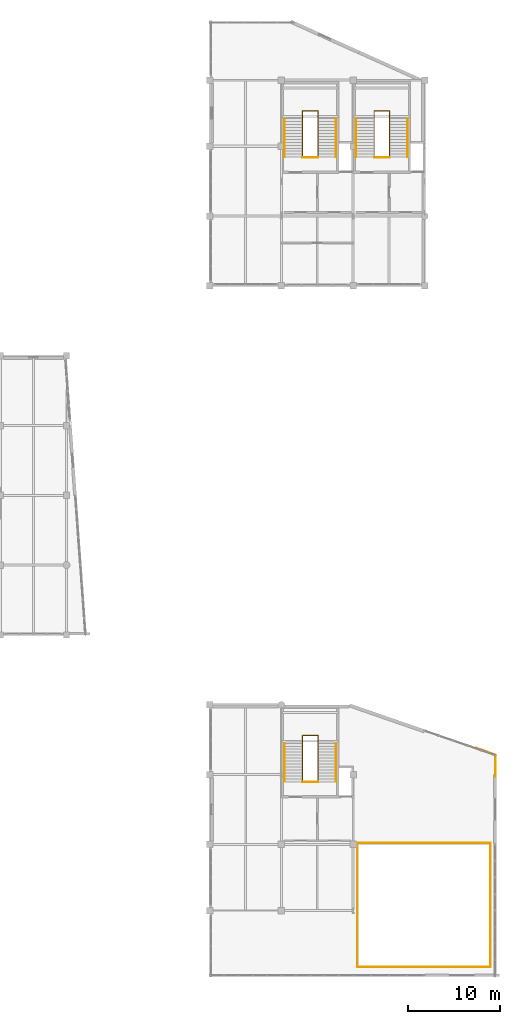
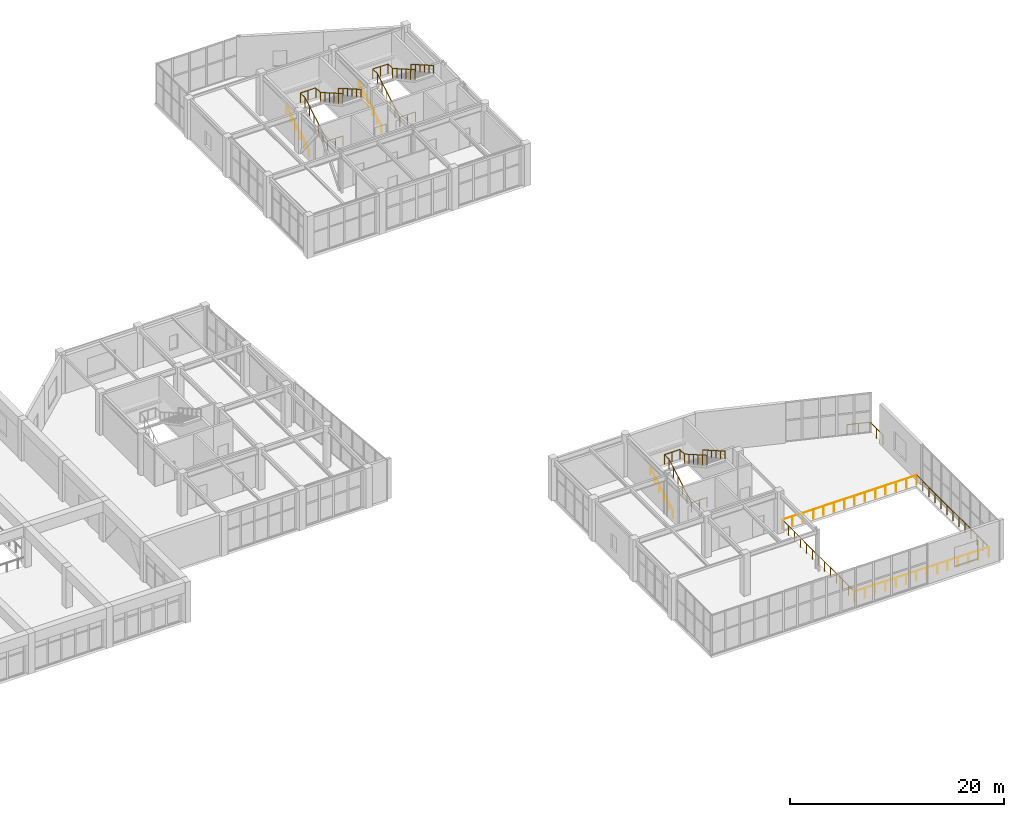
# One storey, part 72 of 72: 17 railings.
"""IFC4 building model written with IfcOpenShell, lengths in metres."""

import ifcopenshell
import ifcopenshell.guid

model = None  # the IFC model being written
_history = None  # IfcOwnerHistory: only IFC2X3 demands one
_inside = {}  # id of a spatial element -> (the spatial element, [elements in it])
_under = {}  # id of a project, library or spatial element -> (it, [spatial elements below it])
_declared = {}  # id of a project -> (the project, [libraries it declares])
_typed = {}  # id of a type object -> (the type object, [elements of that type])
_made_of = {}  # id of a material, layer set ... -> (it, [elements and type objects made of it])


def new_model(schema):
    """Start an empty IFC model of exactly this schema.

    Asked for "IFC4X3", IfcOpenShell would pick the latest addendum, in which some entities
    have other attributes; the version numbers below select the first issue.
    IFC2X3 requires an IfcOwnerHistory on every rooted entity: one is made here for all.
    """
    global model, _history
    if schema == "IFC4X3":
        model = ifcopenshell.file(schema_version=(4, 3, 0, 0))
    else:
        model = ifcopenshell.file(schema=schema)
    _inside.clear()
    _under.clear()
    _declared.clear()
    _typed.clear()
    _made_of.clear()
    _history = None
    if model.schema == "IFC2X3":
        org = make("IfcOrganization", Name="unknown")
        user = make(
            "IfcPersonAndOrganization",
            ThePerson=make("IfcPerson", FamilyName="unknown"),
            TheOrganization=org,
        )
        app = make(
            "IfcApplication",
            ApplicationDeveloper=org,
            Version="unknown",
            ApplicationFullName="unknown",
            ApplicationIdentifier="unknown",
        )
        _history = make(
            "IfcOwnerHistory",
            OwningUser=user,
            OwningApplication=app,
            ChangeAction="ADDED",
            CreationDate=0,
        )
    return model


def make(cls, **values):
    """One entity of the class cls with the attributes given. An attribute that is None is left unset."""
    return model.create_entity(
        cls, **{name: value for name, value in values.items() if value is not None}
    )


def rooted(cls, **values):
    """An entity with a GlobalId (a new one), such as an element, a storey or a relation."""
    return make(cls, GlobalId=ifcopenshell.guid.new(), OwnerHistory=_history, **values)


def si_unit(unit_type, name, prefix=None):
    """IfcSIUnit, for example si_unit("LENGTHUNIT", "METRE", prefix="MILLI")."""
    return make("IfcSIUnit", UnitType=unit_type, Prefix=prefix, Name=name)


def assignment(units):
    """IfcUnitAssignment: the units of a project."""
    return None if units is None else make("IfcUnitAssignment", Units=units)


def point(xyz):
    """IfcCartesianPoint."""
    return None if xyz is None else make("IfcCartesianPoint", Coordinates=xyz)


def direction(xyz):
    """IfcDirection."""
    return None if xyz is None else make("IfcDirection", DirectionRatios=xyz)


def frame(location, z_axis=None, x_axis=None):
    """IfcAxis2Placement3D, a coordinate frame: its origin and axes. An axis left out is left unset."""
    return make(
        "IfcAxis2Placement3D",
        Location=point(location),
        Axis=direction(z_axis),
        RefDirection=direction(x_axis),
    )


def frame_2d(location, x_axis=None):
    """IfcAxis2Placement2D, a coordinate frame in the plane: its origin and x axis."""
    return make(
        "IfcAxis2Placement2D", Location=point(location), RefDirection=direction(x_axis)
    )


def origin():
    """The frame at (0, 0, 0) with its axes left unset."""
    return frame((0.0, 0.0, 0.0))


def origin_2d():
    """The frame at (0, 0) in the plane with its x axis left unset."""
    return frame_2d((0.0, 0.0))


def place(relative_to, where):
    """IfcLocalPlacement: puts the frame where relative to a parent placement (None: the world)."""
    return make(
        "IfcLocalPlacement", PlacementRelTo=relative_to, RelativePlacement=where
    )


def context(
    kind, dimensions, precision=None, world=None, true_north=None, identifier=None
):
    """IfcGeometricRepresentationContext, for example the 3D "Model" context."""
    return make(
        "IfcGeometricRepresentationContext",
        ContextIdentifier=identifier,
        ContextType=kind,
        CoordinateSpaceDimension=dimensions,
        Precision=precision,
        WorldCoordinateSystem=world,
        TrueNorth=true_north,
    )


def subcontext(parent, identifier, kind, view, scale=None):
    """IfcGeometricRepresentationSubContext, for example "Body" below "Model"."""
    return make(
        "IfcGeometricRepresentationSubContext",
        ContextIdentifier=identifier,
        ContextType=kind,
        ParentContext=parent,
        TargetScale=scale,
        TargetView=view,
    )


def project(units=None, contexts=None):
    """IfcProject with its units and contexts."""
    return rooted(
        "IfcProject",
        Name="project",
        RepresentationContexts=contexts,
        UnitsInContext=assignment(units),
    )


def spatial(cls, under=None, at=None, **own):
    """A site, building, storey or space (cls), placed at a placement, below another one or the project."""
    s = rooted(cls, ObjectPlacement=at, **own)
    if under is not None:
        _under.setdefault(under.id(), (under, []))[1].append(s)
    return s


def profile(cls, at=None, kind="AREA", **sizes):
    """A parametric profile (cls). Its sizes go by their IFC names, for example OverallWidth=200.0."""
    return make(cls, ProfileType=kind, Position=at, **sizes)


def circle(**sizes):
    """IfcCircleProfileDef."""
    return profile("IfcCircleProfileDef", **sizes)


def extrude(swept, where, along, depth):
    """IfcExtrudedAreaSolid: the profile swept, set in the frame where, extruded along a direction by depth."""
    return make(
        "IfcExtrudedAreaSolid",
        SweptArea=swept,
        Position=where,
        ExtrudedDirection=direction(along),
        Depth=depth,
    )


def shape(context_of_items, identifier, shape_type, items):
    """IfcShapeRepresentation: the items that make up one representation, for example the "Body"."""
    return make(
        "IfcShapeRepresentation",
        ContextOfItems=context_of_items,
        RepresentationIdentifier=identifier,
        RepresentationType=shape_type,
        Items=items,
    )


def material(Name=None, Category=None):
    """IfcMaterial."""
    return make("IfcMaterial", Name=Name, Category=Category)


def made_of(thing, what):
    """Note that an element or type object is made of a material, layer set ...; save() writes the relation."""
    if what is not None:
        _made_of.setdefault(what.id(), (what, []))[1].append(thing)
    return thing


def type_object(cls, material=None, **own):
    """A type object (cls), such as IfcWallType, which elements share."""
    return made_of(rooted(cls, **own), material)


def element(
    cls,
    number,
    at=None,
    inside=None,
    cuts=None,
    type_object=None,
    material=None,
    context=None,
    identifier="Body",
    shape_type=None,
    held_by="IfcProductDefinitionShape",
    body=None,
    shapes=None,
    **own,
):
    """One element of the class cls, such as IfcWall. Its Tag is "e" and its number.

    at: its placement. inside: the storey or other place that contains it. cuts: it is an
    opening in that element (IfcRelVoidsElement). A single representation is given by context,
    identifier, shape_type and body (its items); several are given by shapes. held_by: the class
    of the entity that holds the representations. save() writes the other relations.
    """
    e = rooted(cls, Tag="e%d" % number, ObjectPlacement=at, **own)
    if body is not None:
        shapes = [shape(context, identifier, shape_type, body)]
    if shapes is not None:
        e.Representation = make(held_by, Representations=shapes)
    if inside is not None:
        _inside.setdefault(inside.id(), (inside, []))[1].append(e)
    if cuts is not None:
        rooted(
            "IfcRelVoidsElement", RelatingBuildingElement=cuts, RelatedOpeningElement=e
        )
    if type_object is not None:
        _typed.setdefault(type_object.id(), (type_object, []))[1].append(e)
    return made_of(e, material)


def aggregate(whole, parts):
    """IfcRelAggregates: a whole, such as a stair, and the parts it consists of."""
    return rooted("IfcRelAggregates", RelatingObject=whole, RelatedObjects=parts)


def save(model, path):
    """Write the relations noted so far, then the file.

    IfcRelAggregates (storeys below a building ...), IfcRelContainedInSpatialStructure (elements
    in a storey), IfcRelDefinesByType, IfcRelAssociatesMaterial and IfcRelDeclares: one each for
    every whole, place, type object, material and project.
    """
    for whole, parts in _under.values():
        aggregate(whole, parts)
    for where, things in _inside.values():
        rooted(
            "IfcRelContainedInSpatialStructure",
            RelatedElements=things,
            RelatingStructure=where,
        )
    for kind, things in _typed.values():
        rooted("IfcRelDefinesByType", RelatedObjects=things, RelatingType=kind)
    for what, things in _made_of.values():
        rooted("IfcRelAssociatesMaterial", RelatedObjects=things, RelatingMaterial=what)
    for by, libraries in _declared.values():
        rooted("IfcRelDeclares", RelatingContext=by, RelatedDefinitions=libraries)
    model.write(path)


model = new_model("IFC4")

# Units and contexts
model_context = context("Model", 3, precision=1e-05, world=origin(), true_north=direction((0.0, 1.0)))
body_context = subcontext(model_context, "Body", "Model", "MODEL_VIEW")
ifc_project = project(units=[si_unit("LENGTHUNIT", "METRE"), si_unit("AREAUNIT", "SQUARE_METRE"), si_unit("VOLUMEUNIT", "CUBIC_METRE"), si_unit("PLANEANGLEUNIT", "RADIAN"), si_unit("MASSUNIT", "GRAM", prefix="KILO")], contexts=[model_context])

# Site, building, storey
site_placement = place(None, origin())
site = spatial("IfcSite", under=ifc_project, at=site_placement, CompositionType="ELEMENT")
building_placement = place(site_placement, origin())
building = spatial("IfcBuilding", under=site, at=building_placement, Name="Xicomal Pleat Aquarium", CompositionType="ELEMENT")
storey_placement = place(building_placement, frame((0.0, 0.0, 10.5)))
storey = spatial("IfcBuildingStorey", under=building, at=storey_placement, Name="L03", CompositionType="ELEMENT", Elevation=10.5)

# Railings
ifc_material_1 = material(Name="Brushed stainless steel 316L", Category="steel")
railing_type_1 = type_object("IfcRailingType", Name="RAL-BAL-1120", PredefinedType="BALUSTRADE", material=ifc_material_1)
railing_1_placement = place(storey_placement, frame((149.85009765625, 1.85009765625, 0.0)))
element("IfcRailing", 1, at=railing_1_placement, inside=storey, type_object=railing_type_1, Name="L03 void safety balustrade BAL-L03-AUD-W", PredefinedType="BALUSTRADE", context=body_context, shape_type="SweptSolid", body=[
    extrude(circle(Radius=0.02392578125, at=origin_2d()), frame((0.0, 0.0, 1.09619140625), z_axis=(0.0, 1.0, 0.0), x_axis=(-1.0, 0.0, 0.0)), (0.0, 0.0, 1.0), 13.5),
    extrude(circle(Radius=0.02099609375, at=origin_2d()), origin(), (0.0, 0.0, 1.0), 1.072021484375),
    extrude(circle(Radius=0.02099609375, at=origin_2d()), frame((0.0, 1.125, 0.0)), (0.0, 0.0, 1.0), 1.072021484375),
    extrude(circle(Radius=0.02099609375, at=origin_2d()), frame((0.0, 2.25, 0.0)), (0.0, 0.0, 1.0), 1.072021484375),
    extrude(circle(Radius=0.02099609375, at=origin_2d()), frame((0.0, 3.375, 0.0)), (0.0, 0.0, 1.0), 1.072021484375),
    extrude(circle(Radius=0.02099609375, at=origin_2d()), frame((0.0, 4.5, 0.0)), (0.0, 0.0, 1.0), 1.072021484375),
    extrude(circle(Radius=0.02099609375, at=origin_2d()), frame((0.0, 5.625, 0.0)), (0.0, 0.0, 1.0), 1.072021484375),
    extrude(circle(Radius=0.02099609375, at=origin_2d()), frame((0.0, 6.75, 0.0)), (0.0, 0.0, 1.0), 1.072021484375),
    extrude(circle(Radius=0.02099609375, at=origin_2d()), frame((0.0, 7.875, 0.0)), (0.0, 0.0, 1.0), 1.072021484375),
    extrude(circle(Radius=0.02099609375, at=origin_2d()), frame((0.0, 9.0, 0.0)), (0.0, 0.0, 1.0), 1.072021484375),
    extrude(circle(Radius=0.02099609375, at=origin_2d()), frame((0.0, 10.125, 0.0)), (0.0, 0.0, 1.0), 1.072021484375),
    extrude(circle(Radius=0.02099609375, at=origin_2d()), frame((0.0, 11.25, 0.0)), (0.0, 0.0, 1.0), 1.072021484375),
    extrude(circle(Radius=0.02099609375, at=origin_2d()), frame((0.0, 12.375, 0.0)), (0.0, 0.0, 1.0), 1.072021484375),
    extrude(circle(Radius=0.02099609375, at=origin_2d()), frame((0.0, 13.5, 0.0)), (0.0, 0.0, 1.0), 1.072021484375),
])
railing_2_placement = place(storey_placement, frame((149.85009765625, 15.35009765625, 0.0)))
element("IfcRailing", 2, at=railing_2_placement, inside=storey, type_object=railing_type_1, Name="L03 void safety balustrade BAL-L03-AUD-N", PredefinedType="BALUSTRADE", context=body_context, shape_type="SweptSolid", body=[
    extrude(circle(Radius=0.02392578125, at=origin_2d()), frame((0.0, 0.0, 1.09619140625), z_axis=(1.0, 0.0, 0.0), x_axis=(0.0, 1.0, 0.0)), (0.0, 0.0, 1.0), 14.5),
    extrude(circle(Radius=0.02099609375, at=origin_2d()), origin(), (0.0, 0.0, 1.0), 1.072021484375),
    extrude(circle(Radius=0.02099609375, at=origin_2d()), frame((1.115478515625, 0.0, 0.0)), (0.0, 0.0, 1.0), 1.072021484375),
    extrude(circle(Radius=0.02099609375, at=origin_2d()), frame((2.230712890625, 0.0, 0.0)), (0.0, 0.0, 1.0), 1.072021484375),
    extrude(circle(Radius=0.02099609375, at=origin_2d()), frame((3.34619140625, 0.0, 0.0)), (0.0, 0.0, 1.0), 1.072021484375),
    extrude(circle(Radius=0.02099609375, at=origin_2d()), frame((4.46142578125, 0.0, 0.0)), (0.0, 0.0, 1.0), 1.072021484375),
    extrude(circle(Radius=0.02099609375, at=origin_2d()), frame((5.576904296875, 0.0, 0.0)), (0.0, 0.0, 1.0), 1.072021484375),
    extrude(circle(Radius=0.02099609375, at=origin_2d()), frame((6.6923828125, 0.0, 0.0)), (0.0, 0.0, 1.0), 1.072021484375),
    extrude(circle(Radius=0.02099609375, at=origin_2d()), frame((7.8076171875, 0.0, 0.0)), (0.0, 0.0, 1.0), 1.072021484375),
    extrude(circle(Radius=0.02099609375, at=origin_2d()), frame((8.923095703125, 0.0, 0.0)), (0.0, 0.0, 1.0), 1.072021484375),
    extrude(circle(Radius=0.02099609375, at=origin_2d()), frame((10.03857421875, 0.0, 0.0)), (0.0, 0.0, 1.0), 1.072021484375),
    extrude(circle(Radius=0.02099609375, at=origin_2d()), frame((11.15380859375, 0.0, 0.0)), (0.0, 0.0, 1.0), 1.072021484375),
    extrude(circle(Radius=0.02099609375, at=origin_2d()), frame((12.269287109375, 0.0, 0.0)), (0.0, 0.0, 1.0), 1.072021484375),
    extrude(circle(Radius=0.02099609375, at=origin_2d()), frame((13.384521484375, 0.0, 0.0)), (0.0, 0.0, 1.0), 1.072021484375),
    extrude(circle(Radius=0.02099609375, at=origin_2d()), frame((14.5, 0.0, 0.0)), (0.0, 0.0, 1.0), 1.072021484375),
])
railing_3_placement = place(storey_placement, frame((164.35009765625, 1.85009765625, 0.0)))
element("IfcRailing", 3, at=railing_3_placement, inside=storey, type_object=railing_type_1, Name="L03 void safety balustrade BAL-L03-AUD-E", PredefinedType="BALUSTRADE", context=body_context, shape_type="SweptSolid", body=[
    extrude(circle(Radius=0.02392578125, at=origin_2d()), frame((0.0, 0.0, 1.09619140625), z_axis=(0.0, 1.0, 0.0), x_axis=(-1.0, 0.0, 0.0)), (0.0, 0.0, 1.0), 13.5),
    extrude(circle(Radius=0.02099609375, at=origin_2d()), origin(), (0.0, 0.0, 1.0), 1.072021484375),
    extrude(circle(Radius=0.02099609375, at=origin_2d()), frame((0.0, 1.125, 0.0)), (0.0, 0.0, 1.0), 1.072021484375),
    extrude(circle(Radius=0.02099609375, at=origin_2d()), frame((0.0, 2.25, 0.0)), (0.0, 0.0, 1.0), 1.072021484375),
    extrude(circle(Radius=0.02099609375, at=origin_2d()), frame((0.0, 3.375, 0.0)), (0.0, 0.0, 1.0), 1.072021484375),
    extrude(circle(Radius=0.02099609375, at=origin_2d()), frame((0.0, 4.5, 0.0)), (0.0, 0.0, 1.0), 1.072021484375),
    extrude(circle(Radius=0.02099609375, at=origin_2d()), frame((0.0, 5.625, 0.0)), (0.0, 0.0, 1.0), 1.072021484375),
    extrude(circle(Radius=0.02099609375, at=origin_2d()), frame((0.0, 6.75, 0.0)), (0.0, 0.0, 1.0), 1.072021484375),
    extrude(circle(Radius=0.02099609375, at=origin_2d()), frame((0.0, 7.875, 0.0)), (0.0, 0.0, 1.0), 1.072021484375),
    extrude(circle(Radius=0.02099609375, at=origin_2d()), frame((0.0, 9.0, 0.0)), (0.0, 0.0, 1.0), 1.072021484375),
    extrude(circle(Radius=0.02099609375, at=origin_2d()), frame((0.0, 10.125, 0.0)), (0.0, 0.0, 1.0), 1.072021484375),
    extrude(circle(Radius=0.02099609375, at=origin_2d()), frame((0.0, 11.25, 0.0)), (0.0, 0.0, 1.0), 1.072021484375),
    extrude(circle(Radius=0.02099609375, at=origin_2d()), frame((0.0, 12.375, 0.0)), (0.0, 0.0, 1.0), 1.072021484375),
    extrude(circle(Radius=0.02099609375, at=origin_2d()), frame((0.0, 13.5, 0.0)), (0.0, 0.0, 1.0), 1.072021484375),
])
railing_4_placement = place(storey_placement, frame((149.85009765625, 1.85009765625, 0.0)))
element("IfcRailing", 4, at=railing_4_placement, inside=storey, type_object=railing_type_1, Name="L03 void safety balustrade BAL-L03-AUD-S", PredefinedType="BALUSTRADE", context=body_context, shape_type="SweptSolid", body=[
    extrude(circle(Radius=0.02392578125, at=origin_2d()), frame((0.0, 0.0, 1.09619140625), z_axis=(1.0, 0.0, 0.0), x_axis=(0.0, 1.0, 0.0)), (0.0, 0.0, 1.0), 14.5),
    extrude(circle(Radius=0.02099609375, at=origin_2d()), origin(), (0.0, 0.0, 1.0), 1.072021484375),
    extrude(circle(Radius=0.02099609375, at=origin_2d()), frame((1.115478515625, 0.0, 0.0)), (0.0, 0.0, 1.0), 1.072021484375),
    extrude(circle(Radius=0.02099609375, at=origin_2d()), frame((2.230712890625, 0.0, 0.0)), (0.0, 0.0, 1.0), 1.072021484375),
    extrude(circle(Radius=0.02099609375, at=origin_2d()), frame((3.34619140625, 0.0, 0.0)), (0.0, 0.0, 1.0), 1.072021484375),
    extrude(circle(Radius=0.02099609375, at=origin_2d()), frame((4.46142578125, 0.0, 0.0)), (0.0, 0.0, 1.0), 1.072021484375),
    extrude(circle(Radius=0.02099609375, at=origin_2d()), frame((5.576904296875, 0.0, 0.0)), (0.0, 0.0, 1.0), 1.072021484375),
    extrude(circle(Radius=0.02099609375, at=origin_2d()), frame((6.6923828125, 0.0, 0.0)), (0.0, 0.0, 1.0), 1.072021484375),
    extrude(circle(Radius=0.02099609375, at=origin_2d()), frame((7.8076171875, 0.0, 0.0)), (0.0, 0.0, 1.0), 1.072021484375),
    extrude(circle(Radius=0.02099609375, at=origin_2d()), frame((8.923095703125, 0.0, 0.0)), (0.0, 0.0, 1.0), 1.072021484375),
    extrude(circle(Radius=0.02099609375, at=origin_2d()), frame((10.03857421875, 0.0, 0.0)), (0.0, 0.0, 1.0), 1.072021484375),
    extrude(circle(Radius=0.02099609375, at=origin_2d()), frame((11.15380859375, 0.0, 0.0)), (0.0, 0.0, 1.0), 1.072021484375),
    extrude(circle(Radius=0.02099609375, at=origin_2d()), frame((12.269287109375, 0.0, 0.0)), (0.0, 0.0, 1.0), 1.072021484375),
    extrude(circle(Radius=0.02099609375, at=origin_2d()), frame((13.384521484375, 0.0, 0.0)), (0.0, 0.0, 1.0), 1.072021484375),
    extrude(circle(Radius=0.02099609375, at=origin_2d()), frame((14.5, 0.0, 0.0)), (0.0, 0.0, 1.0), 1.072021484375),
])
ifc_material_2 = material(Name="Stainless steel 316L and laminated safety glass", Category="steel")
railing_type_2 = type_object("IfcRailingType", Name="RAL-GRD-1150", PredefinedType="GUARDRAIL", material=ifc_material_2)
railing_5_placement = place(storey_placement, frame((164.8798828125, 22.60009765625, 0.0)))
element("IfcRailing", 5, at=railing_5_placement, inside=storey, type_object=railing_type_2, Name="L03 slab setback perimeter guard GR-EDG-L03-01", PredefinedType="GUARDRAIL", context=body_context, shape_type="SweptSolid", body=[
    extrude(circle(Radius=0.02392578125, at=origin_2d()), frame((0.0, 0.0, 1.1259765625), z_axis=(0.0, 1.0, 0.0), x_axis=(-1.0, 0.0, 0.0)), (0.0, 0.0, 1.0), 2.35986328125),
    extrude(circle(Radius=0.02392578125, at=origin_2d()), frame((0.0, 2.35986328125, 1.1259765625), z_axis=(-0.944982116947, 0.327121993529, 0.0), x_axis=(-0.327121993529, -0.944982116947, 0.0)), (0.0, 0.0, 1.0), 2.200927734375),
    extrude(circle(Radius=0.02099609375, at=origin_2d()), origin(), (0.0, 0.0, 1.0), 1.101806640625),
    extrude(circle(Radius=0.02099609375, at=origin_2d()), frame((0.0, 1.179931640625, 0.0)), (0.0, 0.0, 1.0), 1.101806640625),
    extrude(circle(Radius=0.02099609375, at=origin_2d()), frame((0.0, 2.35986328125, 0.0)), (0.0, 0.0, 1.0), 1.101806640625),
    extrude(circle(Radius=0.02099609375, at=origin_2d()), frame((-1.0400390625, 2.7197265625, 0.0)), (0.0, 0.0, 1.0), 1.101806640625),
    extrude(circle(Radius=0.02099609375, at=origin_2d()), frame((-2.079833984375, 3.079833984375, 0.0)), (0.0, 0.0, 1.0), 1.101806640625),
])
ifc_material_3 = material(Name="Brushed stainless steel 316L", Category="steel")
railing_type_3 = type_object("IfcRailingType", Name="RAL-HR-900", PredefinedType="HANDRAIL", material=ifc_material_3)
railing_6_placement = place(storey_placement, frame((141.919921875, 90.02001953125, 0.0)))
element("IfcRailing", 6, at=railing_6_placement, inside=storey, type_object=railing_type_3, Name="ST-05-L03 flight 1 handrail", PredefinedType="HANDRAIL", context=body_context, shape_type="SweptSolid", body=[
    extrude(circle(Radius=0.02392578125, at=origin_2d()), frame((0.0, 0.0, 0.8759765625), z_axis=(0.0, 0.867538579349, 0.497369895894), x_axis=(-1.0, 0.0, 0.0)), (0.0, 0.0, 1.0), 4.8251953125),
    extrude(circle(Radius=0.02099609375, at=origin_2d()), origin(), (0.0, 0.0, 1.0), 0.851806640625),
    extrude(circle(Radius=0.02099609375, at=origin_2d()), frame((0.0, 0.837158203125, 0.47998046875)), (0.0, 0.0, 1.0), 0.851806640625),
    extrude(circle(Radius=0.02099609375, at=origin_2d()), frame((0.0, 1.67431640625, 0.9599609375)), (0.0, 0.0, 1.0), 0.851806640625),
    extrude(circle(Radius=0.02099609375, at=origin_2d()), frame((0.0, 2.51171875, 1.43994140625)), (0.0, 0.0, 1.0), 0.851806640625),
    extrude(circle(Radius=0.02099609375, at=origin_2d()), frame((0.0, 3.348876953125, 1.919921875)), (0.0, 0.0, 1.0), 0.851806640625),
    extrude(circle(Radius=0.02099609375, at=origin_2d()), frame((0.0, 4.18603515625, 2.39990234375)), (0.0, 0.0, 1.0), 0.851806640625),
])
railing_7_placement = place(storey_placement, frame((147.5400390625, 94.2060546875, 2.39990234375)))
element("IfcRailing", 7, at=railing_7_placement, inside=storey, type_object=railing_type_3, Name="ST-05-L03 flight 2 handrail", PredefinedType="HANDRAIL", context=body_context, shape_type="SweptSolid", body=[
    extrude(circle(Radius=0.02392578125, at=origin_2d()), frame((0.0, 0.0, 0.8759765625), z_axis=(0.0, -0.867516747025, 0.497407975038), x_axis=(1.0, 0.0, 0.0)), (0.0, 0.0, 1.0), 4.8251953125),
    extrude(circle(Radius=0.02099609375, at=origin_2d()), origin(), (0.0, 0.0, 1.0), 0.851806640625),
    extrude(circle(Radius=0.02099609375, at=origin_2d()), frame((0.0, -0.837158203125, 0.47998046875)), (0.0, 0.0, 1.0), 0.851806640625),
    extrude(circle(Radius=0.02099609375, at=origin_2d()), frame((0.0, -1.67431640625, 0.9599609375)), (0.0, 0.0, 1.0), 0.851806640625),
    extrude(circle(Radius=0.02099609375, at=origin_2d()), frame((0.0, -2.51171875, 1.440185546875)), (0.0, 0.0, 1.0), 0.851806640625),
    extrude(circle(Radius=0.02099609375, at=origin_2d()), frame((0.0, -3.348876953125, 1.920166015625)), (0.0, 0.0, 1.0), 0.851806640625),
    extrude(circle(Radius=0.02099609375, at=origin_2d()), frame((0.0, -4.18603515625, 2.400146484375)), (0.0, 0.0, 1.0), 0.851806640625),
])
railing_8_placement = place(storey_placement, frame((149.719970703125, 90.02001953125, 0.0)))
element("IfcRailing", 8, at=railing_8_placement, inside=storey, type_object=railing_type_3, Name="ST-06-L03 flight 1 handrail", PredefinedType="HANDRAIL", context=body_context, shape_type="SweptSolid", body=[
    extrude(circle(Radius=0.02392578125, at=origin_2d()), frame((0.0, 0.0, 0.8759765625), z_axis=(0.0, 0.867538579349, 0.497369895894), x_axis=(-1.0, 0.0, 0.0)), (0.0, 0.0, 1.0), 4.8251953125),
    extrude(circle(Radius=0.02099609375, at=origin_2d()), origin(), (0.0, 0.0, 1.0), 0.851806640625),
    extrude(circle(Radius=0.02099609375, at=origin_2d()), frame((0.0, 0.837158203125, 0.47998046875)), (0.0, 0.0, 1.0), 0.851806640625),
    extrude(circle(Radius=0.02099609375, at=origin_2d()), frame((0.0, 1.67431640625, 0.9599609375)), (0.0, 0.0, 1.0), 0.851806640625),
    extrude(circle(Radius=0.02099609375, at=origin_2d()), frame((0.0, 2.51171875, 1.43994140625)), (0.0, 0.0, 1.0), 0.851806640625),
    extrude(circle(Radius=0.02099609375, at=origin_2d()), frame((0.0, 3.348876953125, 1.919921875)), (0.0, 0.0, 1.0), 0.851806640625),
    extrude(circle(Radius=0.02099609375, at=origin_2d()), frame((0.0, 4.18603515625, 2.39990234375)), (0.0, 0.0, 1.0), 0.851806640625),
])
railing_9_placement = place(storey_placement, frame((155.340087890625, 94.2060546875, 2.39990234375)))
element("IfcRailing", 9, at=railing_9_placement, inside=storey, type_object=railing_type_3, Name="ST-06-L03 flight 2 handrail", PredefinedType="HANDRAIL", context=body_context, shape_type="SweptSolid", body=[
    extrude(circle(Radius=0.02392578125, at=origin_2d()), frame((0.0, 0.0, 0.8759765625), z_axis=(0.0, -0.867516747025, 0.497407975038), x_axis=(1.0, 0.0, 0.0)), (0.0, 0.0, 1.0), 4.8251953125),
    extrude(circle(Radius=0.02099609375, at=origin_2d()), origin(), (0.0, 0.0, 1.0), 0.851806640625),
    extrude(circle(Radius=0.02099609375, at=origin_2d()), frame((0.0, -0.837158203125, 0.47998046875)), (0.0, 0.0, 1.0), 0.851806640625),
    extrude(circle(Radius=0.02099609375, at=origin_2d()), frame((0.0, -1.67431640625, 0.9599609375)), (0.0, 0.0, 1.0), 0.851806640625),
    extrude(circle(Radius=0.02099609375, at=origin_2d()), frame((0.0, -2.51171875, 1.440185546875)), (0.0, 0.0, 1.0), 0.851806640625),
    extrude(circle(Radius=0.02099609375, at=origin_2d()), frame((0.0, -3.348876953125, 1.920166015625)), (0.0, 0.0, 1.0), 0.851806640625),
    extrude(circle(Radius=0.02099609375, at=origin_2d()), frame((0.0, -4.18603515625, 2.400146484375)), (0.0, 0.0, 1.0), 0.851806640625),
])
railing_10_placement = place(storey_placement, frame((141.919921875, 22.02001953125, 0.0)))
element("IfcRailing", 10, at=railing_10_placement, inside=storey, type_object=railing_type_3, Name="ST-08-L03 flight 1 handrail", PredefinedType="HANDRAIL", context=body_context, shape_type="SweptSolid", body=[
    extrude(circle(Radius=0.02392578125, at=origin_2d()), frame((0.0, 0.0, 0.8759765625), z_axis=(0.0, 0.867538579349, 0.497369895894), x_axis=(-1.0, 0.0, 0.0)), (0.0, 0.0, 1.0), 4.8251953125),
    extrude(circle(Radius=0.02099609375, at=origin_2d()), origin(), (0.0, 0.0, 1.0), 0.851806640625),
    extrude(circle(Radius=0.02099609375, at=origin_2d()), frame((0.0, 0.837158203125, 0.47998046875)), (0.0, 0.0, 1.0), 0.851806640625),
    extrude(circle(Radius=0.02099609375, at=origin_2d()), frame((0.0, 1.67431640625, 0.9599609375)), (0.0, 0.0, 1.0), 0.851806640625),
    extrude(circle(Radius=0.02099609375, at=origin_2d()), frame((0.0, 2.51171875, 1.43994140625)), (0.0, 0.0, 1.0), 0.851806640625),
    extrude(circle(Radius=0.02099609375, at=origin_2d()), frame((0.0, 3.348876953125, 1.919921875)), (0.0, 0.0, 1.0), 0.851806640625),
    extrude(circle(Radius=0.02099609375, at=origin_2d()), frame((0.0, 4.18603515625, 2.39990234375)), (0.0, 0.0, 1.0), 0.851806640625),
])
railing_11_placement = place(storey_placement, frame((147.5400390625, 26.2060546875, 2.39990234375)))
element("IfcRailing", 11, at=railing_11_placement, inside=storey, type_object=railing_type_3, Name="ST-08-L03 flight 2 handrail", PredefinedType="HANDRAIL", context=body_context, shape_type="SweptSolid", body=[
    extrude(circle(Radius=0.02392578125, at=origin_2d()), frame((0.0, 0.0, 0.8759765625), z_axis=(0.0, -0.867516747025, 0.497407975038), x_axis=(1.0, 0.0, 0.0)), (0.0, 0.0, 1.0), 4.8251953125),
    extrude(circle(Radius=0.02099609375, at=origin_2d()), origin(), (0.0, 0.0, 1.0), 0.851806640625),
    extrude(circle(Radius=0.02099609375, at=origin_2d()), frame((0.0, -0.837158203125, 0.47998046875)), (0.0, 0.0, 1.0), 0.851806640625),
    extrude(circle(Radius=0.02099609375, at=origin_2d()), frame((0.0, -1.67431640625, 0.9599609375)), (0.0, 0.0, 1.0), 0.851806640625),
    extrude(circle(Radius=0.02099609375, at=origin_2d()), frame((0.0, -2.51171875, 1.440185546875)), (0.0, 0.0, 1.0), 0.851806640625),
    extrude(circle(Radius=0.02099609375, at=origin_2d()), frame((0.0, -3.348876953125, 1.920166015625)), (0.0, 0.0, 1.0), 0.851806640625),
    extrude(circle(Radius=0.02099609375, at=origin_2d()), frame((0.0, -4.18603515625, 2.400146484375)), (0.0, 0.0, 1.0), 0.851806640625),
])
ifc_material_4 = material(Name="Brushed stainless steel 316L", Category="steel")
railing_type_4 = type_object("IfcRailingType", Name="RAL-STG-1120", PredefinedType="GUARDRAIL", material=ifc_material_4)
railing_12_placement = place(storey_placement, frame((143.89990234375, 90.02001953125, 0.0)))
element("IfcRailing", 12, at=railing_12_placement, inside=storey, type_object=railing_type_4, Name="ST-05-L03 inner well guard", PredefinedType="GUARDRAIL", context=body_context, shape_type="SweptSolid", body=[
    extrude(circle(Radius=0.02392578125, at=origin_2d()), frame((0.0, 0.0, 1.09619140625), z_axis=(0.0, 0.867538579349, 0.497369895894), x_axis=(-1.0, 0.0, 0.0)), (0.0, 0.0, 1.0), 4.8251953125),
    extrude(circle(Radius=0.02392578125, at=origin_2d()), frame((0.0, 4.18603515625, 3.49609375), z_axis=(0.0, 1.0, 0.0), x_axis=(-1.0, 0.0, 0.0)), (0.0, 0.0, 1.0), 0.849853515625),
    extrude(circle(Radius=0.02392578125, at=origin_2d()), frame((0.0, 5.035888671875, 3.49609375), z_axis=(1.0, 0.0, 0.0), x_axis=(0.0, 1.0, 0.0)), (0.0, 0.0, 1.0), 1.66015625),
    extrude(circle(Radius=0.02392578125, at=origin_2d()), frame((1.66015625, 5.035888671875, 3.49609375), z_axis=(0.0, -1.0, 0.0), x_axis=(1.0, 0.0, 0.0)), (0.0, 0.0, 1.0), 0.849853515625),
    extrude(circle(Radius=0.02392578125, at=origin_2d()), frame((1.66015625, 4.18603515625, 3.49609375), z_axis=(0.0, -0.867516747025, 0.497407975038), x_axis=(1.0, 0.0, 0.0)), (0.0, 0.0, 1.0), 4.8251953125),
    extrude(circle(Radius=0.02099609375, at=origin_2d()), origin(), (0.0, 0.0, 1.0), 1.072021484375),
    extrude(circle(Radius=0.02099609375, at=origin_2d()), frame((0.0, 0.837158203125, 0.47998046875)), (0.0, 0.0, 1.0), 1.072021484375),
    extrude(circle(Radius=0.02099609375, at=origin_2d()), frame((0.0, 1.67431640625, 0.9599609375)), (0.0, 0.0, 1.0), 1.072021484375),
    extrude(circle(Radius=0.02099609375, at=origin_2d()), frame((0.0, 2.51171875, 1.43994140625)), (0.0, 0.0, 1.0), 1.072021484375),
    extrude(circle(Radius=0.02099609375, at=origin_2d()), frame((0.0, 3.348876953125, 1.919921875)), (0.0, 0.0, 1.0), 1.072021484375),
    extrude(circle(Radius=0.02099609375, at=origin_2d()), frame((0.0, 4.18603515625, 2.39990234375)), (0.0, 0.0, 1.0), 1.072021484375),
    extrude(circle(Radius=0.02099609375, at=origin_2d()), frame((0.0, 5.035888671875, 2.39990234375)), (0.0, 0.0, 1.0), 1.072021484375),
    extrude(circle(Radius=0.02099609375, at=origin_2d()), frame((0.830078125, 5.035888671875, 2.39990234375)), (0.0, 0.0, 1.0), 1.072021484375),
    extrude(circle(Radius=0.02099609375, at=origin_2d()), frame((1.66015625, 5.035888671875, 2.39990234375)), (0.0, 0.0, 1.0), 1.072021484375),
    extrude(circle(Radius=0.02099609375, at=origin_2d()), frame((1.66015625, 4.18603515625, 2.39990234375)), (0.0, 0.0, 1.0), 1.072021484375),
    extrude(circle(Radius=0.02099609375, at=origin_2d()), frame((1.66015625, 3.348876953125, 2.8798828125)), (0.0, 0.0, 1.0), 1.072021484375),
    extrude(circle(Radius=0.02099609375, at=origin_2d()), frame((1.66015625, 2.51171875, 3.35986328125)), (0.0, 0.0, 1.0), 1.072021484375),
    extrude(circle(Radius=0.02099609375, at=origin_2d()), frame((1.66015625, 1.67431640625, 3.840087890625)), (0.0, 0.0, 1.0), 1.072021484375),
    extrude(circle(Radius=0.02099609375, at=origin_2d()), frame((1.66015625, 0.837158203125, 4.320068359375)), (0.0, 0.0, 1.0), 1.072021484375),
    extrude(circle(Radius=0.02099609375, at=origin_2d()), frame((1.66015625, 0.0, 4.800048828125)), (0.0, 0.0, 1.0), 1.072021484375),
])
railing_13_placement = place(storey_placement, frame((143.89990234375, 89.97998046875, 0.0)))
element("IfcRailing", 13, at=railing_13_placement, inside=storey, type_object=railing_type_4, Name="ST-05-L03 floor landing slot guard", PredefinedType="GUARDRAIL", context=body_context, shape_type="SweptSolid", body=[
    extrude(circle(Radius=0.02392578125, at=origin_2d()), frame((0.0, 0.0, 1.09619140625), z_axis=(1.0, 0.0, 0.0), x_axis=(0.0, 1.0, 0.0)), (0.0, 0.0, 1.0), 1.66015625),
    extrude(circle(Radius=0.02099609375, at=origin_2d()), origin(), (0.0, 0.0, 1.0), 1.072021484375),
    extrude(circle(Radius=0.02099609375, at=origin_2d()), frame((0.830078125, 0.0, 0.0)), (0.0, 0.0, 1.0), 1.072021484375),
    extrude(circle(Radius=0.02099609375, at=origin_2d()), frame((1.66015625, 0.0, 0.0)), (0.0, 0.0, 1.0), 1.072021484375),
])
railing_14_placement = place(storey_placement, frame((151.699951171875, 90.02001953125, 0.0)))
element("IfcRailing", 14, at=railing_14_placement, inside=storey, type_object=railing_type_4, Name="ST-06-L03 inner well guard", PredefinedType="GUARDRAIL", context=body_context, shape_type="SweptSolid", body=[
    extrude(circle(Radius=0.02392578125, at=origin_2d()), frame((0.0, 0.0, 1.09619140625), z_axis=(0.0, 0.867538579349, 0.497369895894), x_axis=(-1.0, 0.0, 0.0)), (0.0, 0.0, 1.0), 4.8251953125),
    extrude(circle(Radius=0.02392578125, at=origin_2d()), frame((0.0, 4.18603515625, 3.49609375), z_axis=(0.0, 1.0, 0.0), x_axis=(-1.0, 0.0, 0.0)), (0.0, 0.0, 1.0), 0.849853515625),
    extrude(circle(Radius=0.02392578125, at=origin_2d()), frame((0.0, 5.035888671875, 3.49609375), z_axis=(1.0, 0.0, 0.0), x_axis=(0.0, 1.0, 0.0)), (0.0, 0.0, 1.0), 1.66015625),
    extrude(circle(Radius=0.02392578125, at=origin_2d()), frame((1.66015625, 5.035888671875, 3.49609375), z_axis=(0.0, -1.0, 0.0), x_axis=(1.0, 0.0, 0.0)), (0.0, 0.0, 1.0), 0.849853515625),
    extrude(circle(Radius=0.02392578125, at=origin_2d()), frame((1.66015625, 4.18603515625, 3.49609375), z_axis=(0.0, -0.867516747025, 0.497407975038), x_axis=(1.0, 0.0, 0.0)), (0.0, 0.0, 1.0), 4.8251953125),
    extrude(circle(Radius=0.02099609375, at=origin_2d()), origin(), (0.0, 0.0, 1.0), 1.072021484375),
    extrude(circle(Radius=0.02099609375, at=origin_2d()), frame((0.0, 0.837158203125, 0.47998046875)), (0.0, 0.0, 1.0), 1.072021484375),
    extrude(circle(Radius=0.02099609375, at=origin_2d()), frame((0.0, 1.67431640625, 0.9599609375)), (0.0, 0.0, 1.0), 1.072021484375),
    extrude(circle(Radius=0.02099609375, at=origin_2d()), frame((0.0, 2.51171875, 1.43994140625)), (0.0, 0.0, 1.0), 1.072021484375),
    extrude(circle(Radius=0.02099609375, at=origin_2d()), frame((0.0, 3.348876953125, 1.919921875)), (0.0, 0.0, 1.0), 1.072021484375),
    extrude(circle(Radius=0.02099609375, at=origin_2d()), frame((0.0, 4.18603515625, 2.39990234375)), (0.0, 0.0, 1.0), 1.072021484375),
    extrude(circle(Radius=0.02099609375, at=origin_2d()), frame((0.0, 5.035888671875, 2.39990234375)), (0.0, 0.0, 1.0), 1.072021484375),
    extrude(circle(Radius=0.02099609375, at=origin_2d()), frame((0.830078125, 5.035888671875, 2.39990234375)), (0.0, 0.0, 1.0), 1.072021484375),
    extrude(circle(Radius=0.02099609375, at=origin_2d()), frame((1.66015625, 5.035888671875, 2.39990234375)), (0.0, 0.0, 1.0), 1.072021484375),
    extrude(circle(Radius=0.02099609375, at=origin_2d()), frame((1.66015625, 4.18603515625, 2.39990234375)), (0.0, 0.0, 1.0), 1.072021484375),
    extrude(circle(Radius=0.02099609375, at=origin_2d()), frame((1.66015625, 3.348876953125, 2.8798828125)), (0.0, 0.0, 1.0), 1.072021484375),
    extrude(circle(Radius=0.02099609375, at=origin_2d()), frame((1.66015625, 2.51171875, 3.35986328125)), (0.0, 0.0, 1.0), 1.072021484375),
    extrude(circle(Radius=0.02099609375, at=origin_2d()), frame((1.66015625, 1.67431640625, 3.840087890625)), (0.0, 0.0, 1.0), 1.072021484375),
    extrude(circle(Radius=0.02099609375, at=origin_2d()), frame((1.66015625, 0.837158203125, 4.320068359375)), (0.0, 0.0, 1.0), 1.072021484375),
    extrude(circle(Radius=0.02099609375, at=origin_2d()), frame((1.66015625, 0.0, 4.800048828125)), (0.0, 0.0, 1.0), 1.072021484375),
])
railing_15_placement = place(storey_placement, frame((151.699951171875, 89.97998046875, 0.0)))
element("IfcRailing", 15, at=railing_15_placement, inside=storey, type_object=railing_type_4, Name="ST-06-L03 floor landing slot guard", PredefinedType="GUARDRAIL", context=body_context, shape_type="SweptSolid", body=[
    extrude(circle(Radius=0.02392578125, at=origin_2d()), frame((0.0, 0.0, 1.09619140625), z_axis=(1.0, 0.0, 0.0), x_axis=(0.0, 1.0, 0.0)), (0.0, 0.0, 1.0), 1.66015625),
    extrude(circle(Radius=0.02099609375, at=origin_2d()), origin(), (0.0, 0.0, 1.0), 1.072021484375),
    extrude(circle(Radius=0.02099609375, at=origin_2d()), frame((0.830078125, 0.0, 0.0)), (0.0, 0.0, 1.0), 1.072021484375),
    extrude(circle(Radius=0.02099609375, at=origin_2d()), frame((1.66015625, 0.0, 0.0)), (0.0, 0.0, 1.0), 1.072021484375),
])
railing_16_placement = place(storey_placement, frame((143.89990234375, 22.02001953125, 0.0)))
element("IfcRailing", 16, at=railing_16_placement, inside=storey, type_object=railing_type_4, Name="ST-08-L03 inner well guard", PredefinedType="GUARDRAIL", context=body_context, shape_type="SweptSolid", body=[
    extrude(circle(Radius=0.02392578125, at=origin_2d()), frame((0.0, 0.0, 1.09619140625), z_axis=(0.0, 0.867538579349, 0.497369895894), x_axis=(-1.0, 0.0, 0.0)), (0.0, 0.0, 1.0), 4.8251953125),
    extrude(circle(Radius=0.02392578125, at=origin_2d()), frame((0.0, 4.18603515625, 3.49609375), z_axis=(0.0, 1.0, 0.0), x_axis=(-1.0, 0.0, 0.0)), (0.0, 0.0, 1.0), 0.849853515625),
    extrude(circle(Radius=0.02392578125, at=origin_2d()), frame((0.0, 5.035888671875, 3.49609375), z_axis=(1.0, 0.0, 0.0), x_axis=(0.0, 1.0, 0.0)), (0.0, 0.0, 1.0), 1.66015625),
    extrude(circle(Radius=0.02392578125, at=origin_2d()), frame((1.66015625, 5.035888671875, 3.49609375), z_axis=(0.0, -1.0, 0.0), x_axis=(1.0, 0.0, 0.0)), (0.0, 0.0, 1.0), 0.849853515625),
    extrude(circle(Radius=0.02392578125, at=origin_2d()), frame((1.66015625, 4.18603515625, 3.49609375), z_axis=(0.0, -0.867516747025, 0.497407975038), x_axis=(1.0, 0.0, 0.0)), (0.0, 0.0, 1.0), 4.8251953125),
    extrude(circle(Radius=0.02099609375, at=origin_2d()), origin(), (0.0, 0.0, 1.0), 1.072021484375),
    extrude(circle(Radius=0.02099609375, at=origin_2d()), frame((0.0, 0.837158203125, 0.47998046875)), (0.0, 0.0, 1.0), 1.072021484375),
    extrude(circle(Radius=0.02099609375, at=origin_2d()), frame((0.0, 1.67431640625, 0.9599609375)), (0.0, 0.0, 1.0), 1.072021484375),
    extrude(circle(Radius=0.02099609375, at=origin_2d()), frame((0.0, 2.51171875, 1.43994140625)), (0.0, 0.0, 1.0), 1.072021484375),
    extrude(circle(Radius=0.02099609375, at=origin_2d()), frame((0.0, 3.348876953125, 1.919921875)), (0.0, 0.0, 1.0), 1.072021484375),
    extrude(circle(Radius=0.02099609375, at=origin_2d()), frame((0.0, 4.18603515625, 2.39990234375)), (0.0, 0.0, 1.0), 1.072021484375),
    extrude(circle(Radius=0.02099609375, at=origin_2d()), frame((0.0, 5.035888671875, 2.39990234375)), (0.0, 0.0, 1.0), 1.072021484375),
    extrude(circle(Radius=0.02099609375, at=origin_2d()), frame((0.830078125, 5.035888671875, 2.39990234375)), (0.0, 0.0, 1.0), 1.072021484375),
    extrude(circle(Radius=0.02099609375, at=origin_2d()), frame((1.66015625, 5.035888671875, 2.39990234375)), (0.0, 0.0, 1.0), 1.072021484375),
    extrude(circle(Radius=0.02099609375, at=origin_2d()), frame((1.66015625, 4.18603515625, 2.39990234375)), (0.0, 0.0, 1.0), 1.072021484375),
    extrude(circle(Radius=0.02099609375, at=origin_2d()), frame((1.66015625, 3.348876953125, 2.8798828125)), (0.0, 0.0, 1.0), 1.072021484375),
    extrude(circle(Radius=0.02099609375, at=origin_2d()), frame((1.66015625, 2.51171875, 3.35986328125)), (0.0, 0.0, 1.0), 1.072021484375),
    extrude(circle(Radius=0.02099609375, at=origin_2d()), frame((1.66015625, 1.67431640625, 3.840087890625)), (0.0, 0.0, 1.0), 1.072021484375),
    extrude(circle(Radius=0.02099609375, at=origin_2d()), frame((1.66015625, 0.837158203125, 4.320068359375)), (0.0, 0.0, 1.0), 1.072021484375),
    extrude(circle(Radius=0.02099609375, at=origin_2d()), frame((1.66015625, 0.0, 4.800048828125)), (0.0, 0.0, 1.0), 1.072021484375),
])
railing_17_placement = place(storey_placement, frame((143.89990234375, 21.97998046875, 0.0)))
element("IfcRailing", 17, at=railing_17_placement, inside=storey, type_object=railing_type_4, Name="ST-08-L03 floor landing slot guard", PredefinedType="GUARDRAIL", context=body_context, shape_type="SweptSolid", body=[
    extrude(circle(Radius=0.02392578125, at=origin_2d()), frame((0.0, 0.0, 1.09619140625), z_axis=(1.0, 0.0, 0.0), x_axis=(0.0, 1.0, 0.0)), (0.0, 0.0, 1.0), 1.66015625),
    extrude(circle(Radius=0.02099609375, at=origin_2d()), origin(), (0.0, 0.0, 1.0), 1.072021484375),
    extrude(circle(Radius=0.02099609375, at=origin_2d()), frame((0.830078125, 0.0, 0.0)), (0.0, 0.0, 1.0), 1.072021484375),
    extrude(circle(Radius=0.02099609375, at=origin_2d()), frame((1.66015625, 0.0, 0.0)), (0.0, 0.0, 1.0), 1.072021484375),
])

save(model, "model.ifc")
